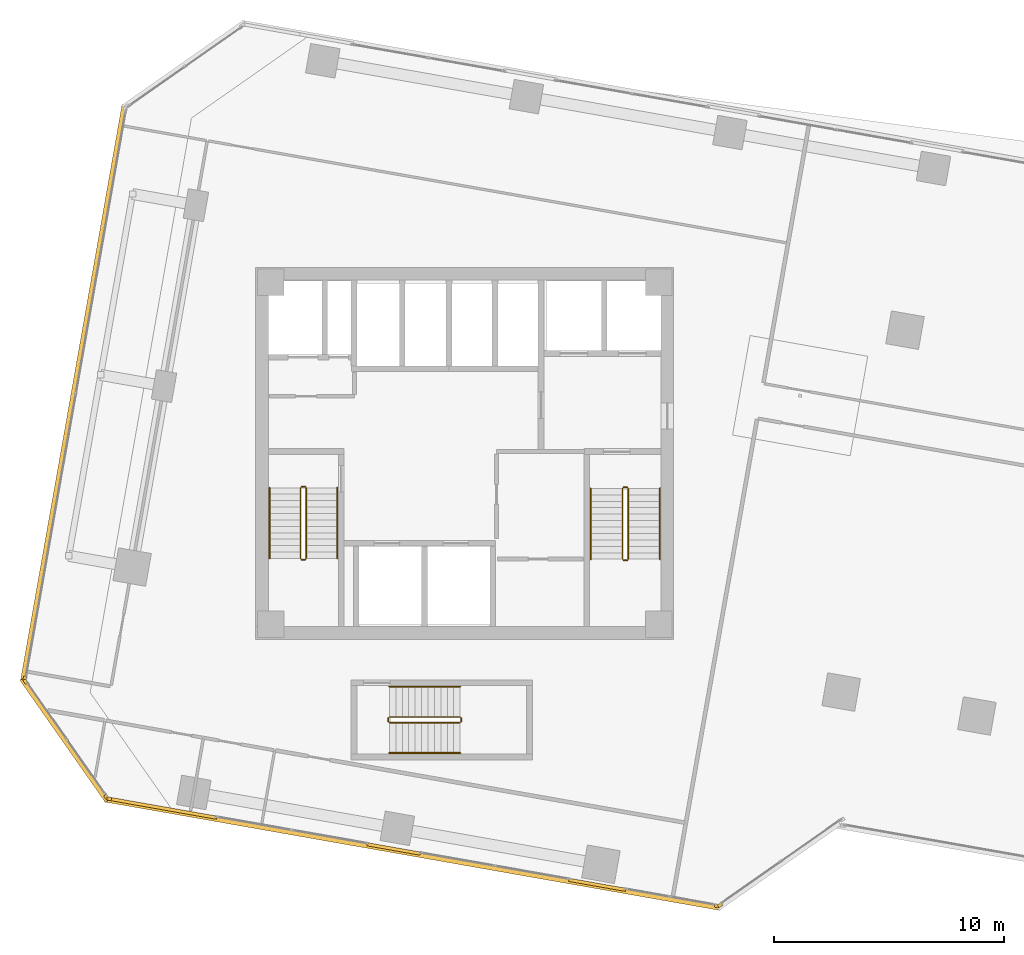
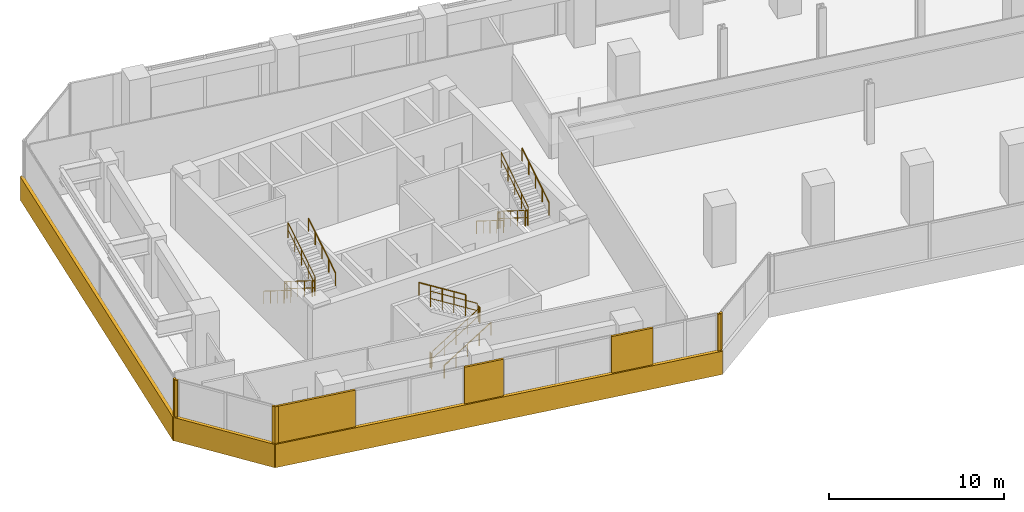
# One storey, part 22 of 24: 18 railings, 12 coverings.
"""IFC4 building model written with IfcOpenShell, lengths in metres."""

from ifc_helpers import new_model, si_unit, direction, frame, origin, origin_2d, place, context, subcontext, project, spatial, rectangle, circle, extrude, source, transform, mapped, material, layer, layer_set, type_object, element, save


model = new_model("IFC4")

# Units and contexts
model_context = context("Model", 3, precision=1e-05, world=origin(), true_north=direction((0.0, 1.0)))
body_context = subcontext(model_context, "Body", "Model", "MODEL_VIEW")
ifc_project = project(units=[si_unit("LENGTHUNIT", "METRE"), si_unit("AREAUNIT", "SQUARE_METRE"), si_unit("VOLUMEUNIT", "CUBIC_METRE"), si_unit("PLANEANGLEUNIT", "RADIAN"), si_unit("MASSUNIT", "GRAM", prefix="KILO")], contexts=[model_context])

# Site, building, storey
site_placement = place(None, origin())
site = spatial("IfcSite", under=ifc_project, at=site_placement, CompositionType="ELEMENT")
building_placement = place(site_placement, origin())
building = spatial("IfcBuilding", under=site, at=building_placement, Name="Torre Montelarca", CompositionType="ELEMENT")
storey_placement = place(building_placement, frame((0.0, 0.0, 74.800048828125)))
storey = spatial("IfcBuildingStorey", under=building, at=storey_placement, Name="L16", CompositionType="ELEMENT", Elevation=74.800048828125)

# Railings
ifc_material_1 = material(Name="Powder-coated steel ASTM A500 Grade C", Category="steel")
railing_type_1 = type_object("IfcRailingType", Name="RL-GUARD-1100", PredefinedType="BALUSTRADE", material=ifc_material_1)
railing_1_placement = place(storey_placement, frame((10.85009765625, 30.5, 0.175048828125)))
element("IfcRailing", 1, at=railing_1_placement, inside=storey, type_object=railing_type_1, Name="L16 ST1 stair guard 1", PredefinedType="BALUSTRADE", context=body_context, shape_type="SweptSolid", body=[
    extrude(circle(Radius=0.02392578125, at=origin_2d()), frame((0.0, 0.0, 1.076171875), z_axis=(0.0, -0.848028513186, 0.529950602248), x_axis=(1.0, 0.0, 0.0)), (0.0, 0.0, 1.0), 3.632080078125),
    extrude(circle(Radius=0.02099609375, at=origin_2d()), frame((0.0, 0.0, 0.572021484375), z_axis=(0.0, -0.848028513186, 0.529950602248), x_axis=(1.0, 0.0, 0.0)), (0.0, 0.0, 1.0), 3.632080078125),
    extrude(circle(Radius=0.02099609375, at=origin_2d()), origin(), (0.0, 0.0, 1.0), 1.052001953125),
    extrude(circle(Radius=0.02099609375, at=origin_2d()), frame((0.0, -0.77001953125, 0.481201171875)), (0.0, 0.0, 1.0), 1.052001953125),
    extrude(circle(Radius=0.02099609375, at=origin_2d()), frame((0.0, -1.5400390625, 0.96240234375)), (0.0, 0.0, 1.0), 1.052001953125),
    extrude(circle(Radius=0.02099609375, at=origin_2d()), frame((0.0, -2.31005859375, 1.443603515625)), (0.0, 0.0, 1.0), 1.052001953125),
    extrude(circle(Radius=0.02099609375, at=origin_2d()), frame((0.0, -3.080078125, 1.9248046875)), (0.0, 0.0, 1.0), 1.052001953125),
])
railing_2_placement = place(storey_placement, frame((10.89990234375, 27.3701171875, 2.099853515625)))
element("IfcRailing", 2, at=railing_2_placement, inside=storey, type_object=railing_type_1, Name="L16 ST1 stair guard 2", PredefinedType="BALUSTRADE", context=body_context, shape_type="SweptSolid", body=[
    extrude(circle(Radius=0.02392578125, at=origin_2d()), frame((0.0, 0.0, 1.076171875), z_axis=(1.0, 0.0, 0.0), x_axis=(0.0, 1.0, 0.0)), (0.0, 0.0, 1.0), 0.150146484375),
    extrude(circle(Radius=0.02099609375, at=origin_2d()), frame((0.0, 0.0, 0.572021484375), z_axis=(1.0, 0.0, 0.0), x_axis=(0.0, 1.0, 0.0)), (0.0, 0.0, 1.0), 0.150146484375),
    extrude(circle(Radius=0.02099609375, at=origin_2d()), origin(), (0.0, 0.0, 1.0), 1.052001953125),
    extrude(circle(Radius=0.02099609375, at=origin_2d()), frame((0.150146484375, 0.0, 0.0)), (0.0, 0.0, 1.0), 1.052001953125),
])
railing_3_placement = place(storey_placement, frame((11.10009765625, 27.419921875, 2.27490234375)))
element("IfcRailing", 3, at=railing_3_placement, inside=storey, type_object=railing_type_1, Name="L16 ST1 stair guard 3", PredefinedType="BALUSTRADE", context=body_context, shape_type="SweptSolid", body=[
    extrude(circle(Radius=0.02392578125, at=origin_2d()), frame((0.0, 0.0, 1.076171875), z_axis=(0.0, 0.847998304005, 0.529998940003), x_axis=(-1.0, 0.0, 0.0)), (0.0, 0.0, 1.0), 3.632080078125),
    extrude(circle(Radius=0.02099609375, at=origin_2d()), frame((0.0, 0.0, 0.572021484375), z_axis=(0.0, 0.847998304005, 0.529998940003), x_axis=(-1.0, 0.0, 0.0)), (0.0, 0.0, 1.0), 3.632080078125),
    extrude(circle(Radius=0.02099609375, at=origin_2d()), origin(), (0.0, 0.0, 1.0), 1.052001953125),
    extrude(circle(Radius=0.02099609375, at=origin_2d()), frame((0.0, 0.77001953125, 0.481201171875)), (0.0, 0.0, 1.0), 1.052001953125),
    extrude(circle(Radius=0.02099609375, at=origin_2d()), frame((0.0, 1.5400390625, 0.96240234375)), (0.0, 0.0, 1.0), 1.052001953125),
    extrude(circle(Radius=0.02099609375, at=origin_2d()), frame((0.0, 2.31005859375, 1.44384765625)), (0.0, 0.0, 1.0), 1.052001953125),
    extrude(circle(Radius=0.02099609375, at=origin_2d()), frame((0.0, 3.080078125, 1.925048828125)), (0.0, 0.0, 1.0), 1.052001953125),
])
railing_4_placement = place(storey_placement, frame((10.89990234375, 30.550048828125, 0.0)))
element("IfcRailing", 4, at=railing_4_placement, inside=storey, type_object=railing_type_1, Name="L16 ST1 stair guard 4", PredefinedType="BALUSTRADE", context=body_context, shape_type="SweptSolid", body=[
    extrude(circle(Radius=0.02392578125, at=origin_2d()), frame((0.0, 0.0, 1.076171875), z_axis=(1.0, 0.0, 0.0), x_axis=(0.0, 1.0, 0.0)), (0.0, 0.0, 1.0), 0.150146484375),
    extrude(circle(Radius=0.02099609375, at=origin_2d()), frame((0.0, 0.0, 0.572021484375), z_axis=(1.0, 0.0, 0.0), x_axis=(0.0, 1.0, 0.0)), (0.0, 0.0, 1.0), 0.150146484375),
    extrude(circle(Radius=0.02099609375, at=origin_2d()), origin(), (0.0, 0.0, 1.0), 1.052001953125),
    extrude(circle(Radius=0.02099609375, at=origin_2d()), frame((0.150146484375, 0.0, 0.0)), (0.0, 0.0, 1.0), 1.052001953125),
])
railing_5_placement = place(storey_placement, frame((24.8701171875, 30.469970703125, 0.175048828125)))
element("IfcRailing", 5, at=railing_5_placement, inside=storey, type_object=railing_type_1, Name="L16 ST2 stair guard 1", PredefinedType="BALUSTRADE", context=body_context, shape_type="SweptSolid", body=[
    extrude(circle(Radius=0.02392578125, at=origin_2d()), frame((0.0, 0.0, 1.076171875), z_axis=(0.0, -0.848028513186, 0.529950602248), x_axis=(1.0, 0.0, 0.0)), (0.0, 0.0, 1.0), 3.632080078125),
    extrude(circle(Radius=0.02099609375, at=origin_2d()), frame((0.0, 0.0, 0.572021484375), z_axis=(0.0, -0.848028513186, 0.529950602248), x_axis=(1.0, 0.0, 0.0)), (0.0, 0.0, 1.0), 3.632080078125),
    extrude(circle(Radius=0.02099609375, at=origin_2d()), origin(), (0.0, 0.0, 1.0), 1.052001953125),
    extrude(circle(Radius=0.02099609375, at=origin_2d()), frame((0.0, -0.77001953125, 0.481201171875)), (0.0, 0.0, 1.0), 1.052001953125),
    extrude(circle(Radius=0.02099609375, at=origin_2d()), frame((0.0, -1.5400390625, 0.96240234375)), (0.0, 0.0, 1.0), 1.052001953125),
    extrude(circle(Radius=0.02099609375, at=origin_2d()), frame((0.0, -2.31005859375, 1.443603515625)), (0.0, 0.0, 1.0), 1.052001953125),
    extrude(circle(Radius=0.02099609375, at=origin_2d()), frame((0.0, -3.080078125, 1.9248046875)), (0.0, 0.0, 1.0), 1.052001953125),
])
railing_6_placement = place(storey_placement, frame((24.919921875, 27.340087890625, 2.099853515625)))
element("IfcRailing", 6, at=railing_6_placement, inside=storey, type_object=railing_type_1, Name="L16 ST2 stair guard 2", PredefinedType="BALUSTRADE", context=body_context, shape_type="SweptSolid", body=[
    extrude(circle(Radius=0.02392578125, at=origin_2d()), frame((0.0, 0.0, 1.076171875), z_axis=(1.0, 0.0, 0.0), x_axis=(0.0, 1.0, 0.0)), (0.0, 0.0, 1.0), 0.150146484375),
    extrude(circle(Radius=0.02099609375, at=origin_2d()), frame((0.0, 0.0, 0.572021484375), z_axis=(1.0, 0.0, 0.0), x_axis=(0.0, 1.0, 0.0)), (0.0, 0.0, 1.0), 0.150146484375),
    extrude(circle(Radius=0.02099609375, at=origin_2d()), origin(), (0.0, 0.0, 1.0), 1.052001953125),
    extrude(circle(Radius=0.02099609375, at=origin_2d()), frame((0.150146484375, 0.0, 0.0)), (0.0, 0.0, 1.0), 1.052001953125),
])
railing_7_placement = place(storey_placement, frame((25.1201171875, 27.389892578125, 2.27490234375)))
element("IfcRailing", 7, at=railing_7_placement, inside=storey, type_object=railing_type_1, Name="L16 ST2 stair guard 3", PredefinedType="BALUSTRADE", context=body_context, shape_type="SweptSolid", body=[
    extrude(circle(Radius=0.02392578125, at=origin_2d()), frame((0.0, 0.0, 1.076171875), z_axis=(0.0, 0.847998304005, 0.529998940003), x_axis=(-1.0, 0.0, 0.0)), (0.0, 0.0, 1.0), 3.632080078125),
    extrude(circle(Radius=0.02099609375, at=origin_2d()), frame((0.0, 0.0, 0.572021484375), z_axis=(0.0, 0.847998304005, 0.529998940003), x_axis=(-1.0, 0.0, 0.0)), (0.0, 0.0, 1.0), 3.632080078125),
    extrude(circle(Radius=0.02099609375, at=origin_2d()), origin(), (0.0, 0.0, 1.0), 1.052001953125),
    extrude(circle(Radius=0.02099609375, at=origin_2d()), frame((0.0, 0.77001953125, 0.481201171875)), (0.0, 0.0, 1.0), 1.052001953125),
    extrude(circle(Radius=0.02099609375, at=origin_2d()), frame((0.0, 1.5400390625, 0.96240234375)), (0.0, 0.0, 1.0), 1.052001953125),
    extrude(circle(Radius=0.02099609375, at=origin_2d()), frame((0.0, 2.31005859375, 1.44384765625)), (0.0, 0.0, 1.0), 1.052001953125),
    extrude(circle(Radius=0.02099609375, at=origin_2d()), frame((0.0, 3.080078125, 1.925048828125)), (0.0, 0.0, 1.0), 1.052001953125),
])
railing_8_placement = place(storey_placement, frame((24.919921875, 30.52001953125, 0.0)))
element("IfcRailing", 8, at=railing_8_placement, inside=storey, type_object=railing_type_1, Name="L16 ST2 stair guard 4", PredefinedType="BALUSTRADE", context=body_context, shape_type="SweptSolid", body=[
    extrude(circle(Radius=0.02392578125, at=origin_2d()), frame((0.0, 0.0, 1.076171875), z_axis=(1.0, 0.0, 0.0), x_axis=(0.0, 1.0, 0.0)), (0.0, 0.0, 1.0), 0.150146484375),
    extrude(circle(Radius=0.02099609375, at=origin_2d()), frame((0.0, 0.0, 0.572021484375), z_axis=(1.0, 0.0, 0.0), x_axis=(0.0, 1.0, 0.0)), (0.0, 0.0, 1.0), 0.150146484375),
    extrude(circle(Radius=0.02099609375, at=origin_2d()), origin(), (0.0, 0.0, 1.0), 1.052001953125),
    extrude(circle(Radius=0.02099609375, at=origin_2d()), frame((0.150146484375, 0.0, 0.0)), (0.0, 0.0, 1.0), 1.052001953125),
])
railing_9_placement = place(storey_placement, frame((14.719970703125, 20.27001953125, 0.175048828125)))
element("IfcRailing", 9, at=railing_9_placement, inside=storey, type_object=railing_type_1, Name="L16 ST3 stair guard 1", PredefinedType="BALUSTRADE", context=body_context, shape_type="SweptSolid", body=[
    extrude(circle(Radius=0.02392578125, at=origin_2d()), frame((0.0, 0.0, 1.076171875), z_axis=(0.848028513186, 0.0, 0.529950602248), x_axis=(0.0, 1.0, 0.0)), (0.0, 0.0, 1.0), 3.632080078125),
    extrude(circle(Radius=0.02099609375, at=origin_2d()), frame((0.0, 0.0, 0.572021484375), z_axis=(0.848028513186, 0.0, 0.529950602248), x_axis=(0.0, 1.0, 0.0)), (0.0, 0.0, 1.0), 3.632080078125),
    extrude(circle(Radius=0.02099609375, at=origin_2d()), origin(), (0.0, 0.0, 1.0), 1.052001953125),
    extrude(circle(Radius=0.02099609375, at=origin_2d()), frame((0.77001953125, 0.0, 0.481201171875)), (0.0, 0.0, 1.0), 1.052001953125),
    extrude(circle(Radius=0.02099609375, at=origin_2d()), frame((1.5400390625, 0.0, 0.96240234375)), (0.0, 0.0, 1.0), 1.052001953125),
    extrude(circle(Radius=0.02099609375, at=origin_2d()), frame((2.31005859375, 0.0, 1.443603515625)), (0.0, 0.0, 1.0), 1.052001953125),
    extrude(circle(Radius=0.02099609375, at=origin_2d()), frame((3.080078125, 0.0, 1.9248046875)), (0.0, 0.0, 1.0), 1.052001953125),
])
railing_10_placement = place(storey_placement, frame((17.85009765625, 20.320068359375, 2.099853515625)))
element("IfcRailing", 10, at=railing_10_placement, inside=storey, type_object=railing_type_1, Name="L16 ST3 stair guard 2", PredefinedType="BALUSTRADE", context=body_context, shape_type="SweptSolid", body=[
    extrude(circle(Radius=0.02392578125, at=origin_2d()), frame((0.0, 0.0, 1.076171875), z_axis=(0.0, 1.0, 0.0), x_axis=(-1.0, 0.0, 0.0)), (0.0, 0.0, 1.0), 0.14990234375),
    extrude(circle(Radius=0.02099609375, at=origin_2d()), frame((0.0, 0.0, 0.572021484375), z_axis=(0.0, 1.0, 0.0), x_axis=(-1.0, 0.0, 0.0)), (0.0, 0.0, 1.0), 0.14990234375),
    extrude(circle(Radius=0.02099609375, at=origin_2d()), origin(), (0.0, 0.0, 1.0), 1.052001953125),
    extrude(circle(Radius=0.02099609375, at=origin_2d()), frame((0.0, 0.14990234375, 0.0)), (0.0, 0.0, 1.0), 1.052001953125),
])
railing_11_placement = place(storey_placement, frame((17.800048828125, 20.52001953125, 2.27490234375)))
element("IfcRailing", 11, at=railing_11_placement, inside=storey, type_object=railing_type_1, Name="L16 ST3 stair guard 3", PredefinedType="BALUSTRADE", context=body_context, shape_type="SweptSolid", body=[
    extrude(circle(Radius=0.02392578125, at=origin_2d()), frame((0.0, 0.0, 1.076171875), z_axis=(-0.847998304005, 0.0, 0.529998940003), x_axis=(0.0, -1.0, 0.0)), (0.0, 0.0, 1.0), 3.632080078125),
    extrude(circle(Radius=0.02099609375, at=origin_2d()), frame((0.0, 0.0, 0.572021484375), z_axis=(-0.847998304005, 0.0, 0.529998940003), x_axis=(0.0, -1.0, 0.0)), (0.0, 0.0, 1.0), 3.632080078125),
    extrude(circle(Radius=0.02099609375, at=origin_2d()), origin(), (0.0, 0.0, 1.0), 1.052001953125),
    extrude(circle(Radius=0.02099609375, at=origin_2d()), frame((-0.77001953125, 0.0, 0.481201171875)), (0.0, 0.0, 1.0), 1.052001953125),
    extrude(circle(Radius=0.02099609375, at=origin_2d()), frame((-1.5400390625, 0.0, 0.96240234375)), (0.0, 0.0, 1.0), 1.052001953125),
    extrude(circle(Radius=0.02099609375, at=origin_2d()), frame((-2.31005859375, 0.0, 1.44384765625)), (0.0, 0.0, 1.0), 1.052001953125),
    extrude(circle(Radius=0.02099609375, at=origin_2d()), frame((-3.080078125, 0.0, 1.925048828125)), (0.0, 0.0, 1.0), 1.052001953125),
])
railing_12_placement = place(storey_placement, frame((14.669921875, 20.320068359375, 0.0)))
element("IfcRailing", 12, at=railing_12_placement, inside=storey, type_object=railing_type_1, Name="L16 ST3 stair guard 4", PredefinedType="BALUSTRADE", context=body_context, shape_type="SweptSolid", body=[
    extrude(circle(Radius=0.02392578125, at=origin_2d()), frame((0.0, 0.0, 1.076171875), z_axis=(0.0, 1.0, 0.0), x_axis=(-1.0, 0.0, 0.0)), (0.0, 0.0, 1.0), 0.14990234375),
    extrude(circle(Radius=0.02099609375, at=origin_2d()), frame((0.0, 0.0, 0.572021484375), z_axis=(0.0, 1.0, 0.0), x_axis=(-1.0, 0.0, 0.0)), (0.0, 0.0, 1.0), 0.14990234375),
    extrude(circle(Radius=0.02099609375, at=origin_2d()), origin(), (0.0, 0.0, 1.0), 1.052001953125),
    extrude(circle(Radius=0.02099609375, at=origin_2d()), frame((0.0, 0.14990234375, 0.0)), (0.0, 0.0, 1.0), 1.052001953125),
])
ifc_material_2 = material(Name="Brushed stainless steel AISI 316", Category="steel")
railing_type_2 = type_object("IfcRailingType", Name="RL-HANDRAIL-900", PredefinedType="HANDRAIL", material=ifc_material_2)
railing_13_placement = place(storey_placement, frame((9.5, 30.5, 0.175048828125)))
element("IfcRailing", 13, at=railing_13_placement, inside=storey, type_object=railing_type_2, Name="L16 ST1 stair handrail 1", PredefinedType="HANDRAIL", context=body_context, shape_type="SweptSolid", body=[
    extrude(circle(Radius=0.02392578125, at=origin_2d()), frame((0.0, 0.0, 0.8759765625), z_axis=(0.0, -0.848028513186, 0.529950602248), x_axis=(1.0, 0.0, 0.0)), (0.0, 0.0, 1.0), 3.632080078125),
    extrude(circle(Radius=0.02099609375, at=origin_2d()), origin(), (0.0, 0.0, 1.0), 0.851806640625),
    extrude(circle(Radius=0.02099609375, at=origin_2d()), frame((0.0, -0.77001953125, 0.481201171875)), (0.0, 0.0, 1.0), 0.851806640625),
    extrude(circle(Radius=0.02099609375, at=origin_2d()), frame((0.0, -1.5400390625, 0.96240234375)), (0.0, 0.0, 1.0), 0.851806640625),
    extrude(circle(Radius=0.02099609375, at=origin_2d()), frame((0.0, -2.31005859375, 1.443603515625)), (0.0, 0.0, 1.0), 0.851806640625),
    extrude(circle(Radius=0.02099609375, at=origin_2d()), frame((0.0, -3.080078125, 1.9248046875)), (0.0, 0.0, 1.0), 0.851806640625),
])
railing_14_placement = place(storey_placement, frame((12.449951171875, 27.419921875, 2.27490234375)))
element("IfcRailing", 14, at=railing_14_placement, inside=storey, type_object=railing_type_2, Name="L16 ST1 stair handrail 2", PredefinedType="HANDRAIL", context=body_context, shape_type="SweptSolid", body=[
    extrude(circle(Radius=0.02392578125, at=origin_2d()), frame((0.0, 0.0, 0.8759765625), z_axis=(0.0, 0.847998304005, 0.529998940003), x_axis=(-1.0, 0.0, 0.0)), (0.0, 0.0, 1.0), 3.632080078125),
    extrude(circle(Radius=0.02099609375, at=origin_2d()), origin(), (0.0, 0.0, 1.0), 0.851806640625),
    extrude(circle(Radius=0.02099609375, at=origin_2d()), frame((0.0, 0.77001953125, 0.481201171875)), (0.0, 0.0, 1.0), 0.851806640625),
    extrude(circle(Radius=0.02099609375, at=origin_2d()), frame((0.0, 1.5400390625, 0.96240234375)), (0.0, 0.0, 1.0), 0.851806640625),
    extrude(circle(Radius=0.02099609375, at=origin_2d()), frame((0.0, 2.31005859375, 1.44384765625)), (0.0, 0.0, 1.0), 0.851806640625),
    extrude(circle(Radius=0.02099609375, at=origin_2d()), frame((0.0, 3.080078125, 1.925048828125)), (0.0, 0.0, 1.0), 0.851806640625),
])
railing_15_placement = place(storey_placement, frame((23.489990234375, 30.469970703125, 0.175048828125)))
element("IfcRailing", 15, at=railing_15_placement, inside=storey, type_object=railing_type_2, Name="L16 ST2 stair handrail 1", PredefinedType="HANDRAIL", context=body_context, shape_type="SweptSolid", body=[
    extrude(circle(Radius=0.02392578125, at=origin_2d()), frame((0.0, 0.0, 0.8759765625), z_axis=(0.0, -0.848028513186, 0.529950602248), x_axis=(1.0, 0.0, 0.0)), (0.0, 0.0, 1.0), 3.632080078125),
    extrude(circle(Radius=0.02099609375, at=origin_2d()), origin(), (0.0, 0.0, 1.0), 0.851806640625),
    extrude(circle(Radius=0.02099609375, at=origin_2d()), frame((0.0, -0.77001953125, 0.481201171875)), (0.0, 0.0, 1.0), 0.851806640625),
    extrude(circle(Radius=0.02099609375, at=origin_2d()), frame((0.0, -1.5400390625, 0.96240234375)), (0.0, 0.0, 1.0), 0.851806640625),
    extrude(circle(Radius=0.02099609375, at=origin_2d()), frame((0.0, -2.31005859375, 1.443603515625)), (0.0, 0.0, 1.0), 0.851806640625),
    extrude(circle(Radius=0.02099609375, at=origin_2d()), frame((0.0, -3.080078125, 1.9248046875)), (0.0, 0.0, 1.0), 0.851806640625),
])
railing_16_placement = place(storey_placement, frame((26.5, 27.389892578125, 2.27490234375)))
element("IfcRailing", 16, at=railing_16_placement, inside=storey, type_object=railing_type_2, Name="L16 ST2 stair handrail 2", PredefinedType="HANDRAIL", context=body_context, shape_type="SweptSolid", body=[
    extrude(circle(Radius=0.02392578125, at=origin_2d()), frame((0.0, 0.0, 0.8759765625), z_axis=(0.0, 0.847998304005, 0.529998940003), x_axis=(-1.0, 0.0, 0.0)), (0.0, 0.0, 1.0), 3.632080078125),
    extrude(circle(Radius=0.02099609375, at=origin_2d()), origin(), (0.0, 0.0, 1.0), 0.851806640625),
    extrude(circle(Radius=0.02099609375, at=origin_2d()), frame((0.0, 0.77001953125, 0.481201171875)), (0.0, 0.0, 1.0), 0.851806640625),
    extrude(circle(Radius=0.02099609375, at=origin_2d()), frame((0.0, 1.5400390625, 0.96240234375)), (0.0, 0.0, 1.0), 0.851806640625),
    extrude(circle(Radius=0.02099609375, at=origin_2d()), frame((0.0, 2.31005859375, 1.44384765625)), (0.0, 0.0, 1.0), 0.851806640625),
    extrude(circle(Radius=0.02099609375, at=origin_2d()), frame((0.0, 3.080078125, 1.925048828125)), (0.0, 0.0, 1.0), 0.851806640625),
])
railing_17_placement = place(storey_placement, frame((14.719970703125, 18.949951171875, 0.175048828125)))
element("IfcRailing", 17, at=railing_17_placement, inside=storey, type_object=railing_type_2, Name="L16 ST3 stair handrail 1", PredefinedType="HANDRAIL", context=body_context, shape_type="SweptSolid", body=[
    extrude(circle(Radius=0.02392578125, at=origin_2d()), frame((0.0, 0.0, 0.8759765625), z_axis=(0.848028513186, 0.0, 0.529950602248), x_axis=(0.0, 1.0, 0.0)), (0.0, 0.0, 1.0), 3.632080078125),
    extrude(circle(Radius=0.02099609375, at=origin_2d()), origin(), (0.0, 0.0, 1.0), 0.851806640625),
    extrude(circle(Radius=0.02099609375, at=origin_2d()), frame((0.77001953125, 0.0, 0.481201171875)), (0.0, 0.0, 1.0), 0.851806640625),
    extrude(circle(Radius=0.02099609375, at=origin_2d()), frame((1.5400390625, 0.0, 0.96240234375)), (0.0, 0.0, 1.0), 0.851806640625),
    extrude(circle(Radius=0.02099609375, at=origin_2d()), frame((2.31005859375, 0.0, 1.443603515625)), (0.0, 0.0, 1.0), 0.851806640625),
    extrude(circle(Radius=0.02099609375, at=origin_2d()), frame((3.080078125, 0.0, 1.9248046875)), (0.0, 0.0, 1.0), 0.851806640625),
])
railing_18_placement = place(storey_placement, frame((17.800048828125, 21.840087890625, 2.27490234375)))
element("IfcRailing", 18, at=railing_18_placement, inside=storey, type_object=railing_type_2, Name="L16 ST3 stair handrail 2", PredefinedType="HANDRAIL", context=body_context, shape_type="SweptSolid", body=[
    extrude(circle(Radius=0.02392578125, at=origin_2d()), frame((0.0, 0.0, 0.8759765625), z_axis=(-0.847998304005, 0.0, 0.529998940003), x_axis=(0.0, -1.0, 0.0)), (0.0, 0.0, 1.0), 3.632080078125),
    extrude(circle(Radius=0.02099609375, at=origin_2d()), origin(), (0.0, 0.0, 1.0), 0.851806640625),
    extrude(circle(Radius=0.02099609375, at=origin_2d()), frame((-0.77001953125, 0.0, 0.481201171875)), (0.0, 0.0, 1.0), 0.851806640625),
    extrude(circle(Radius=0.02099609375, at=origin_2d()), frame((-1.5400390625, 0.0, 0.96240234375)), (0.0, 0.0, 1.0), 0.851806640625),
    extrude(circle(Radius=0.02099609375, at=origin_2d()), frame((-2.31005859375, 0.0, 1.44384765625)), (0.0, 0.0, 1.0), 0.851806640625),
    extrude(circle(Radius=0.02099609375, at=origin_2d()), frame((-3.080078125, 0.0, 1.925048828125)), (0.0, 0.0, 1.0), 0.851806640625),
])

# Coverings
ifc_material_3 = material(Name="Bush-hammered warm white precast concrete C45/55", Category="concrete")
ifc_layer = layer(ifc_material_3, 0.139892578125, Name="Bush-hammered warm white precast concrete C45/55", Category="concrete")
ifc_layer_set = layer_set([ifc_layer], Name="Bush-hammered warm white precast concrete C45/55")
covering_type = type_object("IfcCoveringType", Name="COV-TRAY-CLAD", PredefinedType="CLADDING", material=ifc_layer_set)
shared_shape_1 = source(origin(), body_context, "Body", "SweptSolid", [
    extrude(rectangle(XDim=6.48388671875, YDim=0.219970703125, at=origin_2d()), origin(), (0.0, 0.0, 1.0), 1.6201171875),
])
covering_1_placement = place(storey_placement, frame((0.585205078125, 19.513427734375, -0.4501953125), z_axis=(0.0, 0.0, 1.0), x_axis=(0.573570717577, -0.819156048588, 0.0)))
element("IfcCovering", 19, at=covering_1_placement, inside=storey, type_object=covering_type, Name="L16 Architectural White Spandrel Tray Band TRYBOT-11", PredefinedType="CLADDING", context=body_context, shape_type="MappedRepresentation", body=[
    mapped(shared_shape_1, transform((0.0, 0.0, 0.0), scale=1.0)),
])
shared_shape_2 = source(origin(), body_context, "Body", "SweptSolid", [
    extrude(rectangle(XDim=25.52001953125, YDim=0.219970703125, at=origin_2d()), origin(), (0.0, 0.0, 1.0), 1.6201171875),
])
covering_2_placement = place(storey_placement, frame((0.970458984375, 34.6044921875, -0.4501953125), z_axis=(0.0, 0.0, 1.0), x_axis=(-0.17364989648, -0.984807449937, 0.0)))
element("IfcCovering", 20, at=covering_2_placement, inside=storey, type_object=covering_type, Name="L16 Architectural White Spandrel Tray Band TRYBOT-10", PredefinedType="CLADDING", context=body_context, shape_type="MappedRepresentation", body=[
    mapped(shared_shape_2, transform((0.0, 0.0, 0.0), scale=1.0)),
])
shared_shape_3 = source(origin(), body_context, "Body", "SweptSolid", [
    extrude(rectangle(XDim=27.219970703125, YDim=0.219970703125, at=origin_2d()), origin(), (0.0, 0.0, 1.0), 1.6201171875),
])
covering_3_placement = place(storey_placement, frame((15.735107421875, 14.566162109375, -0.4501953125), z_axis=(0.0, 0.0, 1.0), x_axis=(0.984807449937, -0.17364989648, 0.0)))
element("IfcCovering", 21, at=covering_3_placement, inside=storey, type_object=covering_type, Name="L16 Architectural White Spandrel Tray Band TRYBOT-01", PredefinedType="CLADDING", context=body_context, shape_type="MappedRepresentation", body=[
    mapped(shared_shape_3, transform((0.0, 0.0, 0.0), scale=1.0)),
])
shared_shape_4 = source(origin(), body_context, "Body", "SweptSolid", [
    extrude(rectangle(XDim=0.199951171875, YDim=0.139892578125, at=origin_2d()), origin(), (0.0, 0.0, 1.0), 3.719970703125),
])
for number, where, z_axis, x_axis, name in (
    (22, (2.515380859375, 16.9580078125, 0.0), (0.0, 0.0, 1.0), (0.984807753012, -0.173648177667, 0.0), "L16 Architectural Column Pier Cladding E01-1"),
    (23, (28.9755859375, 12.29248046875, 0.0), (0.0, 0.0, 1.0), (0.984807753012, -0.173648177667, 0.0), "L16 Architectural Column Pier Cladding E01-5"),
    (24, (29.1171875, 12.323974609375, 0.0), (0.0, 0.0, 1.0), (0.819155047517, 0.573572147273, 0.0), "L16 Architectural Column Pier Cladding E02-1"),
    (25, (-1.15576171875, 22.201171875, 0.0), (0.0, 0.0, 1.0), (-0.173648177667, -0.984807753012, 0.0), "L16 Architectural Column Pier Cladding E10-2"),
    (26, (-1.124267578125, 22.0595703125, 0.0), (0.0, 0.0, 1.0), (0.573557850233, -0.819165058115, 0.0), "L16 Architectural Column Pier Cladding E11-1"),
    (27, (2.39306640625, 17.0361328125, 0.0), (0.0, 0.0, 1.0), (0.573557850233, -0.819165058115, 0.0), "L16 Architectural Column Pier Cladding E11-2"),
):
    element("IfcCovering", number, at=place(storey_placement, frame(where, z_axis=z_axis, x_axis=x_axis)), inside=storey, type_object=covering_type, Name=name, PredefinedType="CLADDING", context=body_context, shape_type="MappedRepresentation", body=[
        mapped(shared_shape_4, transform((0.0, 0.0, 0.0), scale=1.0)),
    ])
shared_shape_5 = source(origin(), body_context, "Body", "SweptSolid", [
    extrude(rectangle(XDim=4.76416015625, YDim=0.139892578125, at=origin_2d()), origin(), (0.0, 0.0, 1.0), 3.719970703125),
])
covering_4_placement = place(storey_placement, frame((4.861328125, 16.54443359375, 0.0), z_axis=(0.0, 0.0, 1.0), x_axis=(0.984807753012, -0.173648177667, 0.0)))
element("IfcCovering", 28, at=covering_4_placement, inside=storey, type_object=covering_type, Name="L16 Architectural Column Pier Cladding E01-2", PredefinedType="CLADDING", context=body_context, shape_type="MappedRepresentation", body=[
    mapped(shared_shape_5, transform((0.0, 0.0, 0.0), scale=1.0)),
])
shared_shape_6 = source(origin(), body_context, "Body", "SweptSolid", [
    extrude(rectangle(XDim=2.360107421875, YDim=0.139892578125, at=origin_2d()), origin(), (0.0, 0.0, 1.0), 3.719970703125),
])
covering_5_placement = place(storey_placement, frame((14.908447265625, 14.77294921875, 0.0), z_axis=(0.0, 0.0, 1.0), x_axis=(0.984807753012, -0.173648177667, 0.0)))
element("IfcCovering", 29, at=covering_5_placement, inside=storey, type_object=covering_type, Name="L16 Architectural Column Pier Cladding E01-3", PredefinedType="CLADDING", context=body_context, shape_type="MappedRepresentation", body=[
    mapped(shared_shape_6, transform((0.0, 0.0, 0.0), scale=1.0)),
])
shared_shape_7 = source(origin(), body_context, "Body", "SweptSolid", [
    extrude(rectangle(XDim=2.510009765625, YDim=0.139892578125, at=origin_2d()), origin(), (0.0, 0.0, 1.0), 3.719970703125),
])
covering_6_placement = place(storey_placement, frame((23.771728515625, 13.210205078125, 0.0), z_axis=(0.0, 0.0, 1.0), x_axis=(0.984807753012, -0.173648177667, 0.0)))
element("IfcCovering", 30, at=covering_6_placement, inside=storey, type_object=covering_type, Name="L16 Architectural Column Pier Cladding E01-4", PredefinedType="CLADDING", context=body_context, shape_type="MappedRepresentation", body=[
    mapped(shared_shape_7, transform((0.0, 0.0, 0.0), scale=1.0)),
])

save(model, "model.ifc")
